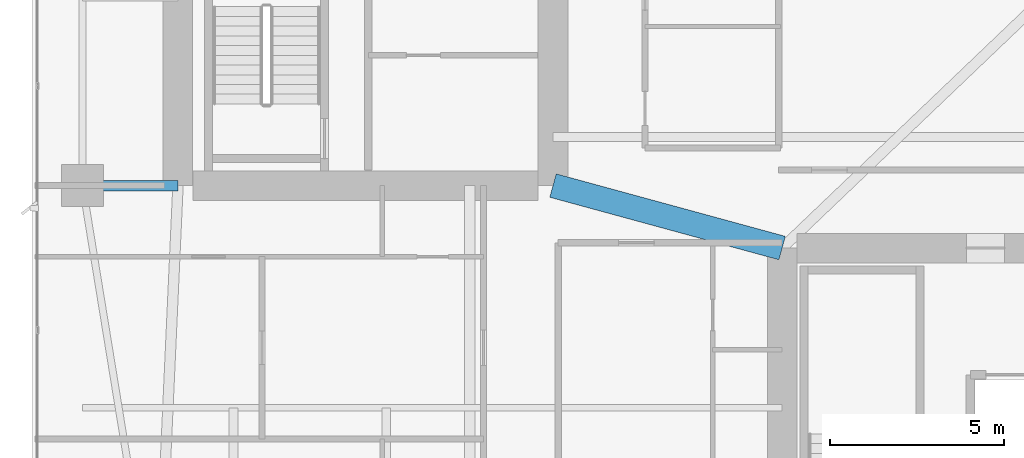
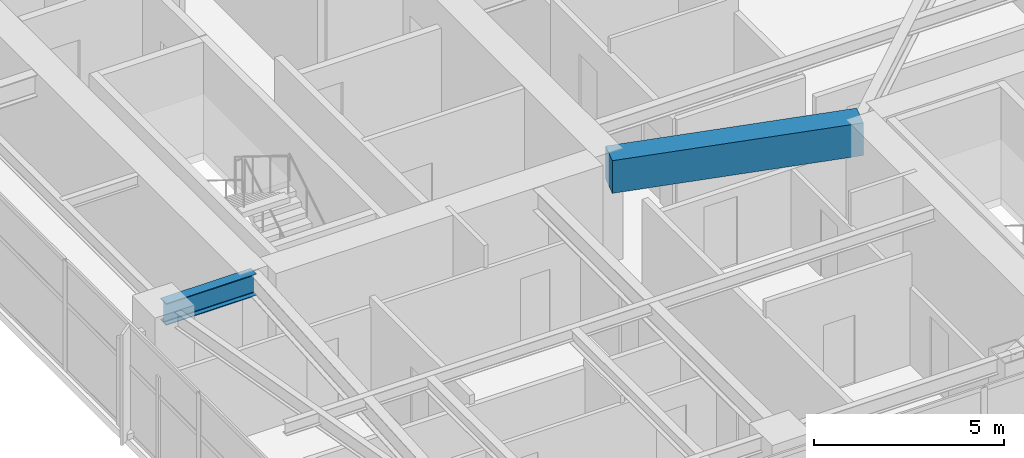
# One storey, part 7 of 28: 2 beams.
"""IFC4 building model written with IfcOpenShell, lengths in metres."""

from ifc_helpers import new_model, si_unit, direction, frame, origin, origin_2d, place, context, subcontext, project, spatial, rectangle, i_section, extrude, material, material_profile, profile_set, type_object, element, save


model = new_model("IFC4")

# Units and contexts
model_context = context("Model", 3, precision=1e-05, world=origin(), true_north=direction((0.0, 1.0)))
body_context = subcontext(model_context, "Body", "Model", "MODEL_VIEW")
ifc_project = project(units=[si_unit("LENGTHUNIT", "METRE"), si_unit("AREAUNIT", "SQUARE_METRE"), si_unit("VOLUMEUNIT", "CUBIC_METRE"), si_unit("PLANEANGLEUNIT", "RADIAN"), si_unit("MASSUNIT", "GRAM", prefix="KILO")], contexts=[model_context])

# Site, building, storey
site_placement = place(None, origin())
site = spatial("IfcSite", under=ifc_project, at=site_placement, CompositionType="ELEMENT")
building_placement = place(site_placement, origin())
building = spatial("IfcBuilding", under=site, at=building_placement, Name="Calvorn Quay Hotel", CompositionType="ELEMENT")
storey_placement = place(building_placement, frame((0.0, 0.0, 101.199951171875)))
storey = spatial("IfcBuildingStorey", under=building, at=storey_placement, Name="L24", CompositionType="ELEMENT", Elevation=101.199951171875)

# Beams
ifc_material_1 = material(Name="Steel Q390GJC", Category="steel")
ifc_material_profile_1 = material_profile(ifc_material_1, i_section(OverallWidth=0.300048828125, OverallDepth=0.699951171875, WebThickness=0.012939453125, FlangeThickness=0.02392578125, FilletRadius=0.02392578125, at=origin_2d()), Name="HN700x300x13x24")
ifc_profile_set_1 = profile_set([ifc_material_profile_1], Name="Steel Q390GJC")
beam_type_1 = type_object("IfcBeamType", Name="BM-GIRD-MAIN", PredefinedType="BEAM", material=ifc_profile_set_1)
beam_1_placement = place(storey_placement, frame((1.449951171875, 16.800048828125, 3.18994140625), z_axis=(1.0, 0.0, 0.0), x_axis=(0.0, 1.0, 0.0)))
element("IfcBeam", 1, at=beam_1_placement, inside=storey, type_object=beam_type_1, Name="Beam BG-L24-W1", PredefinedType="BEAM", context=body_context, shape_type="SweptSolid", body=[
    extrude(i_section(OverallWidth=0.300048828125, OverallDepth=0.699951171875, WebThickness=0.012939453125, FlangeThickness=0.02392578125, FilletRadius=0.02392578125, at=origin_2d()), origin(), (0.0, 0.0, 1.0), 2.75),
])
ifc_material_2 = material(Name="Concrete C50", Category="concrete")
ifc_material_profile_2 = material_profile(ifc_material_2, rectangle(XDim=0.699951171875, YDim=1.050048828125, at=origin_2d()), Name="RCB700x1050")
ifc_profile_set_2 = profile_set([ifc_material_profile_2], Name="Concrete C50")
beam_type_2 = type_object("IfcBeamType", Name="BM-RC-LINK-700x1050", PredefinedType="BEAM", material=ifc_profile_set_2)
beam_2_placement = place(storey_placement, frame((15.0, 16.800048828125, 3.01513671875), z_axis=(0.964762997686, -0.263120425462, 0.0), x_axis=(0.263120425462, 0.964762997686, 0.0)))
element("IfcBeam", 2, at=beam_2_placement, inside=storey, type_object=beam_type_2, Name="Beam BCL-L24-01", PredefinedType="BEAM", context=body_context, shape_type="SweptSolid", body=[
    extrude(rectangle(XDim=0.699951171875, YDim=1.050048828125, at=origin_2d()), origin(), (0.0, 0.0, 1.0), 6.841064453125),
])

save(model, "model.ifc")
